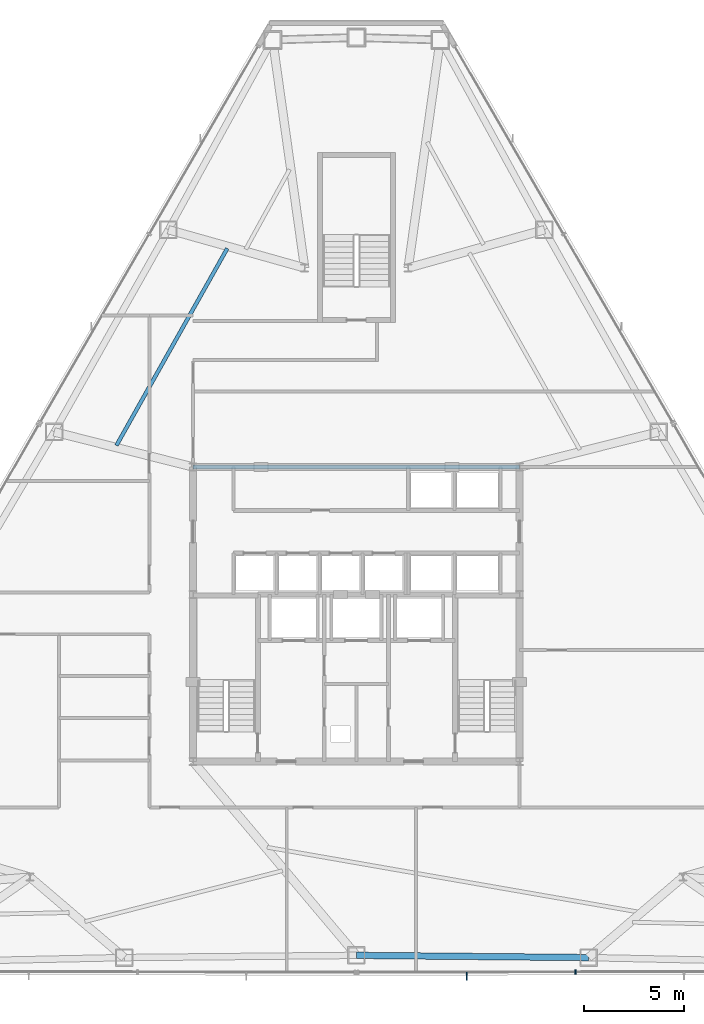
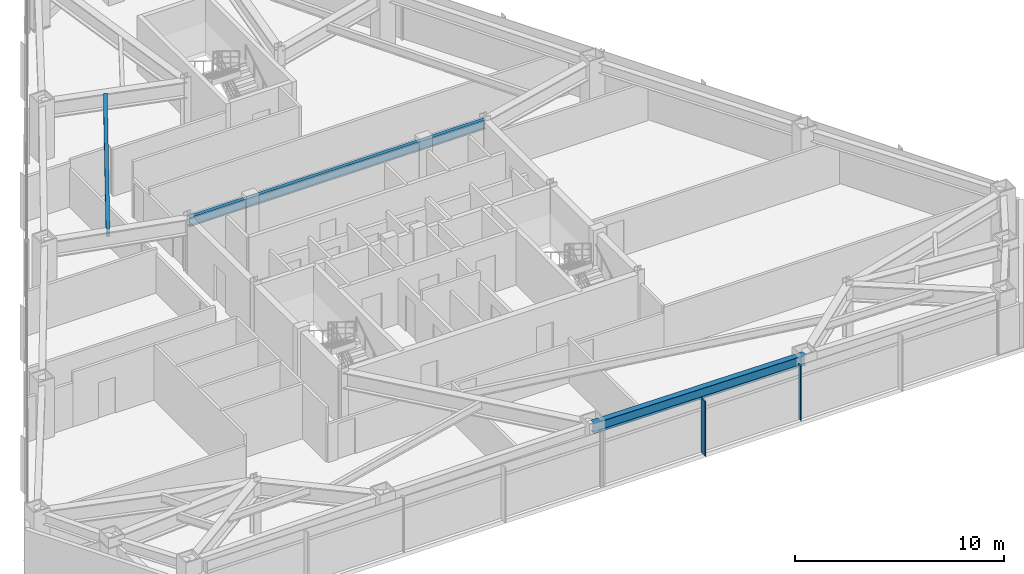
# One storey, part 5 of 12: 3 beams, 2 members, 1 element without a shape of its own.
"""IFC4 building model written with IfcOpenShell, lengths in metres."""

from ifc_helpers import new_model, si_unit, direction, frame, origin, origin_2d, place, context, subcontext, project, spatial, rectangle, i_section, extrude, source, transform, mapped, material, layer, layer_set, material_profile, profile_set, type_object, type_shapes, element, aggregate, save


model = new_model("IFC4")

# Units and contexts
model_context = context("Model", 3, precision=1e-05, world=origin(), true_north=direction((0.0, 1.0)))
body_context = subcontext(model_context, "Body", "Model", "MODEL_VIEW")
ifc_project = project(units=[si_unit("LENGTHUNIT", "METRE"), si_unit("AREAUNIT", "SQUARE_METRE"), si_unit("VOLUMEUNIT", "CUBIC_METRE"), si_unit("PLANEANGLEUNIT", "RADIAN"), si_unit("MASSUNIT", "GRAM", prefix="KILO")], contexts=[model_context])

# Site, building, storey
site_placement = place(None, origin())
site = spatial("IfcSite", under=ifc_project, at=site_placement, CompositionType="ELEMENT")
building_placement = place(site_placement, origin())
building = spatial("IfcBuilding", under=site, at=building_placement, Name="Varakhsha Concourse Tower", CompositionType="ELEMENT")
storey_placement = place(building_placement, frame((0.0, 0.0, 119.449951171875)))
storey = spatial("IfcBuildingStorey", under=building, at=storey_placement, Name="L34", CompositionType="ELEMENT", Elevation=119.449951171875)

# Beams
ifc_material_1 = material(Name="Structural Steel ASTM A992 Grade 50", Category="steel")
ifc_material_profile_1 = material_profile(ifc_material_1, i_section(OverallWidth=0.19091796875, OverallDepth=0.45703125, WebThickness=0.009033203125, FlangeThickness=0.013916015625, at=origin_2d()), Name="W18X50")
ifc_profile_set_1 = profile_set([ifc_material_profile_1], Name="Structural Steel ASTM A992 Grade 50")
beam_type_1 = type_object("IfcBeamType", Name="BM-JST-W18X50", PredefinedType="JOIST", material=ifc_profile_set_1)
beam_1_placement = place(storey_placement, frame((33.512451171875, 42.1796875, 2.9814453125), z_axis=(-0.490329635901, -0.87153706069, 0.0), x_axis=(0.87153706069, -0.490329635901, 0.0)))
element("IfcBeam", 1, at=beam_1_placement, inside=storey, type_object=beam_type_1, Name="BM-TJST-L34-04", PredefinedType="JOIST", context=body_context, shape_type="SweptSolid", body=[
    extrude(i_section(OverallWidth=0.19091796875, OverallDepth=0.45703125, WebThickness=0.009033203125, FlangeThickness=0.013916015625, at=origin_2d()), origin(), (0.0, 0.0, 1.0), 11.354248046875),
])
ifc_material_profile_2 = material_profile(ifc_material_1, i_section(OverallWidth=0.2109375, OverallDepth=0.5390625, WebThickness=0.011962890625, FlangeThickness=0.01904296875, at=origin_2d()), Name="W21X73")
ifc_profile_set_2 = profile_set([ifc_material_profile_2], Name="Structural Steel ASTM A992 Grade 50")
beam_type_2 = type_object("IfcBeamType", Name="BM-RAD-W21X73", PredefinedType="BEAM", material=ifc_profile_set_2)
beam_2_placement = place(storey_placement, frame((31.800048828125, 31.199951171875, 2.9404296875), z_axis=(1.0, 0.0, 0.0), x_axis=(0.0, 1.0, 0.0)))
element("IfcBeam", 2, at=beam_2_placement, inside=storey, type_object=beam_type_2, Name="BM-TCORE-L34-CN", PredefinedType="BEAM", context=body_context, shape_type="SweptSolid", body=[
    extrude(i_section(OverallWidth=0.2109375, OverallDepth=0.5390625, WebThickness=0.011962890625, FlangeThickness=0.01904296875, at=origin_2d()), origin(), (0.0, 0.0, 1.0), 16.39990234375),
])
ifc_material_profile_3 = material_profile(ifc_material_1, i_section(OverallWidth=0.323974609375, OverallDepth=0.611083984375, WebThickness=0.012939453125, FlangeThickness=0.01904296875, at=origin_2d()), Name="W24X104")
ifc_profile_set_3 = profile_set([ifc_material_profile_3], Name="Structural Steel ASTM A992 Grade 50")
beam_type_3 = type_object("IfcBeamType", Name="BM-SPAN-W24X104", PredefinedType="SPANDREL", material=ifc_profile_set_3)
beam_3_placement = place(storey_placement, frame((40.0, 6.67138671875, 2.904541015625), z_axis=(0.999954043986, -0.009586965987, 0.0), x_axis=(0.009586965987, 0.999954043986, 0.0)))
element("IfcBeam", 3, at=beam_3_placement, inside=storey, type_object=beam_type_3, Name="BM-SPAN-L34-11", PredefinedType="SPANDREL", context=body_context, shape_type="SweptSolid", body=[
    extrude(i_section(OverallWidth=0.323974609375, OverallDepth=0.611083984375, WebThickness=0.012939453125, FlangeThickness=0.01904296875, at=origin_2d()), origin(), (0.0, 0.0, 1.0), 11.663330078125),
])

# Curtain wall, members
ifc_material_2 = material(Name="Anodised Bronze Architectural Aluminium AA 6063-T6", Category="aluminium")
ifc_layer = layer(ifc_material_2, 0.2099609375, Name="CW-SYS-04")
ifc_layer_set = layer_set([ifc_layer], Name="Anodised Bronze Architectural Aluminium AA 6063-T6")
curtain_wall_type = type_object("IfcCurtainWallType", Name="CW-SYS-04", PredefinedType="NOTDEFINED", material=ifc_layer_set)
curtain_wall_placement = place(storey_placement, origin())
curtain_wall = element("IfcCurtainWall", 4, at=curtain_wall_placement, inside=storey, type_object=curtain_wall_type, Name="L34 Crystal Curtain Wall F6", PredefinedType="NOTDEFINED")
ifc_material_profile_4 = material_profile(ifc_material_2, rectangle(XDim=0.074951171875, YDim=0.219970703125, at=origin_2d()), Name="CWM-220X75")
ifc_profile_set_4 = profile_set([ifc_material_profile_4], Name="Anodised Bronze Architectural Aluminium AA 6063-T6")
member_type_1 = type_object("IfcMemberType", Name="CWM-220X75", PredefinedType="MULLION", material=ifc_profile_set_4)
shared_shape_1 = source(origin(), body_context, "Body", "SweptSolid", [
    extrude(rectangle(XDim=0.074951171875, YDim=0.219970703125, at=origin_2d()), origin(), (0.0, 0.0, 1.0), 3.2099609375),
])
type_shapes(member_type_1, [shared_shape_1])
member_1_placement = place(storey_placement, frame((50.993896484375, 5.83837890625, 0.0), z_axis=(0.0, 0.0, 1.0), x_axis=(-0.999998476913, -0.001745328366, 0.0)))
member_1 = element("IfcMember", 5, at=member_1_placement, type_object=member_type_1, Name="CW-L34-F6 Mullion 01", PredefinedType="MULLION", context=body_context, shape_type="MappedRepresentation", body=[
    mapped(shared_shape_1, transform((0.0, 0.0, 0.0), scale=1.0)),
])
ifc_material_profile_5 = material_profile(ifc_material_2, rectangle(XDim=0.06005859375, YDim=0.3798828125, at=origin_2d()), Name="FIN-BRZ-380")
ifc_profile_set_5 = profile_set([ifc_material_profile_5], Name="Anodised Bronze Architectural Aluminium AA 6063-T6")
member_type_2 = type_object("IfcMemberType", Name="FIN-BRZ-380", PredefinedType="USERDEFINED", material=ifc_profile_set_5)
shared_shape_2 = source(origin(), body_context, "Body", "SweptSolid", [
    extrude(rectangle(XDim=0.06005859375, YDim=0.3798828125, at=origin_2d()), origin(), (0.0, 0.0, 1.0), 3.2099609375),
])
type_shapes(member_type_2, [shared_shape_2])
member_2_placement = place(storey_placement, frame((45.537109375, 5.623779296875, 0.0), z_axis=(0.0, 0.0, 1.0), x_axis=(1.0, 0.0, 0.0)))
member_2 = element("IfcMember", 6, at=member_2_placement, type_object=member_type_2, Name="L34 Anodised Bronze Solar Fin F6-2", ObjectType="SOLAR FIN", PredefinedType="USERDEFINED", context=body_context, shape_type="MappedRepresentation", body=[
    mapped(shared_shape_2, transform((0.0, 0.0, 0.0), scale=1.0)),
])
aggregate(curtain_wall, [member_1, member_2])

save(model, "model.ifc")
